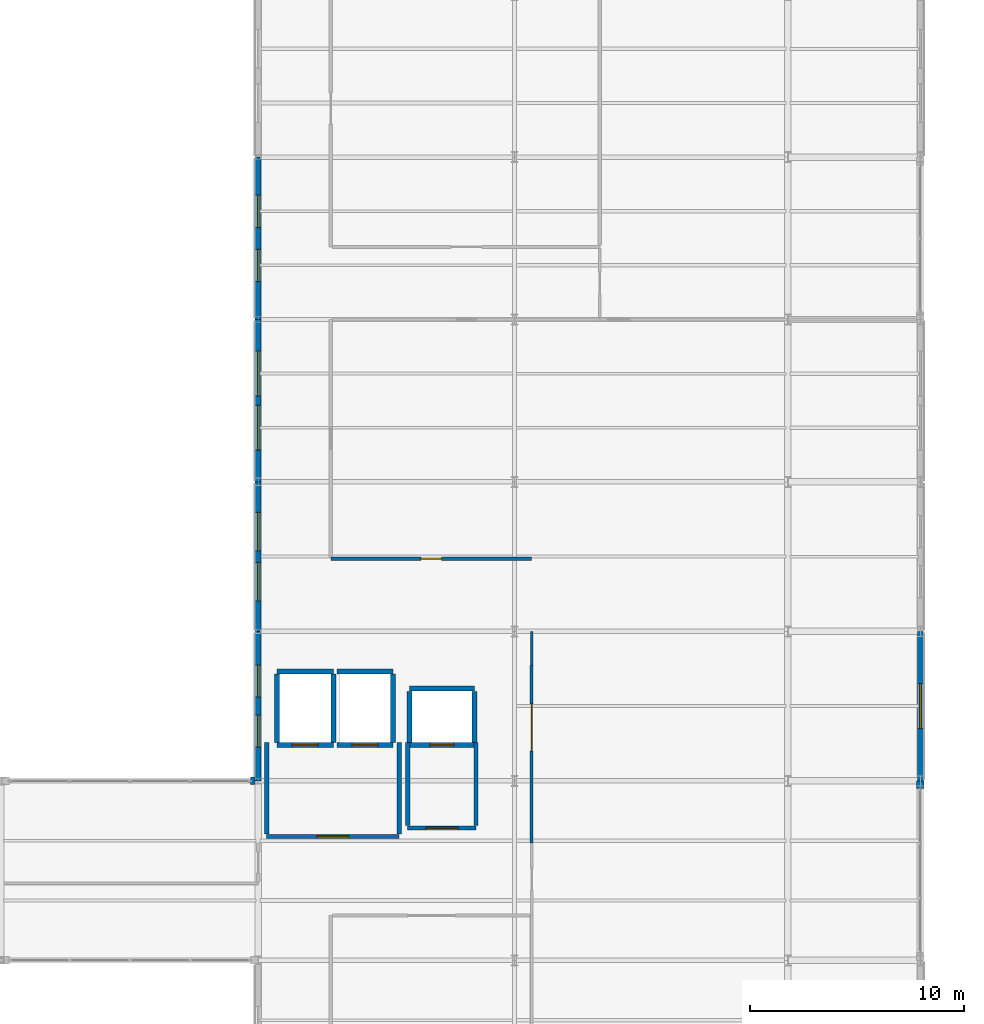
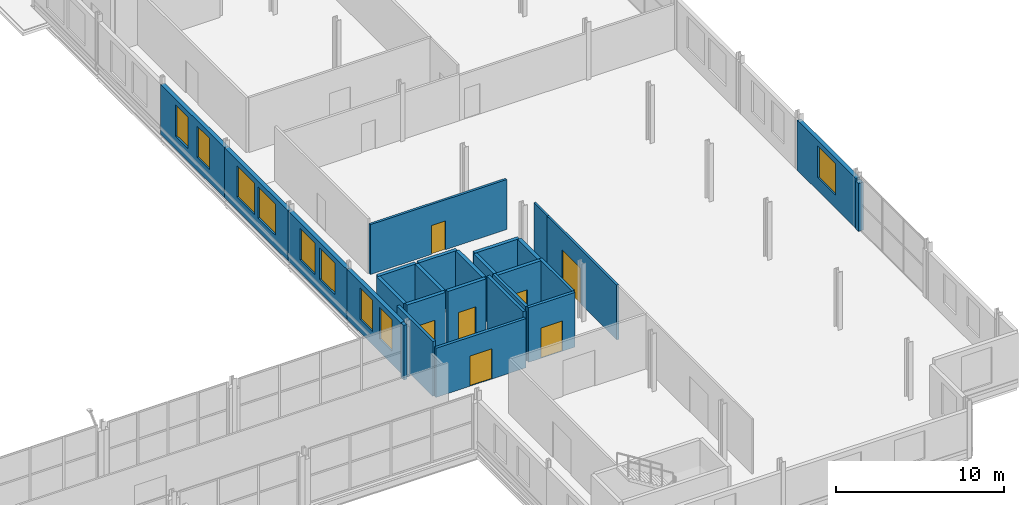
# One storey, part 87 of 101: 27 walls, 9 windows, 7 doors, 16 openings.
"""IFC4 building model written with IfcOpenShell, lengths in metres."""

from ifc_helpers import new_model, si_unit, direction, frame, frame_2d, origin, place, context, subcontext, project, spatial, rectangle, extrude, material, layer, layer_set, type_object, element, fill, save


model = new_model("IFC4")

# Units and contexts
model_context = context("Model", 3, precision=1e-05, world=origin(), true_north=direction((0.0, 1.0)))
body_context = subcontext(model_context, "Body", "Model", "MODEL_VIEW")
ifc_project = project(units=[si_unit("LENGTHUNIT", "METRE"), si_unit("AREAUNIT", "SQUARE_METRE"), si_unit("VOLUMEUNIT", "CUBIC_METRE"), si_unit("PLANEANGLEUNIT", "RADIAN"), si_unit("MASSUNIT", "GRAM", prefix="KILO")], contexts=[model_context])

# Site, building, storey
site_placement = place(None, origin())
site = spatial("IfcSite", under=ifc_project, at=site_placement, CompositionType="ELEMENT")
building_placement = place(site_placement, origin())
building = spatial("IfcBuilding", under=site, at=building_placement, Name="Vekula Escarpment Museum", CompositionType="ELEMENT")
storey_placement = place(building_placement, frame((0.0, 0.0, 18.0)))
storey = spatial("IfcBuildingStorey", under=building, at=storey_placement, Name="L04", CompositionType="ELEMENT", Elevation=18.0)

# Walls
ifc_material_1 = material(Name="Inkisi arkosic sandstone masonry", Category="masonry")
ifc_layer_1 = layer(ifc_material_1, 0.35009765625)
ifc_layer_set_1 = layer_set([ifc_layer_1], Name="Inkisi arkosic sandstone masonry")
wall_type_1 = type_object("IfcWallType", Name="WL-ALM-350", PredefinedType="SOLIDWALL", material=ifc_layer_set_1)
wall_1_placement = place(storey_placement, frame((198.0, 76.0400390625, 0.0), z_axis=(0.0, 0.0, 1.0), x_axis=(0.0, 1.0, 0.0)))
element("IfcWall", 1, at=wall_1_placement, inside=storey, type_object=wall_type_1, Name="Facade Jamb Pier L04-0731B", PredefinedType="SOLIDWALL", context=body_context, shape_type="SweptSolid", body=[
    extrude(rectangle(XDim=0.35986328125, YDim=0.35009765625, at=frame_2d((0.179931640625, 0.0))), origin(), (0.0, 0.0, 1.0), 3.4951171875),
])
wall_2_placement = place(storey_placement, frame((166.85595703125, 76.39990234375, 0.0), z_axis=(0.0, 0.0, 1.0), x_axis=(-1.0, 0.0, 0.0)))
element("IfcWall", 2, at=wall_2_placement, inside=storey, type_object=wall_type_1, Name="Facade Jamb Pier L04-0749A", PredefinedType="SOLIDWALL", context=body_context, shape_type="SweptSolid", body=[
    extrude(rectangle(XDim=0.216064453125, YDim=0.35009765625, at=frame_2d((0.10791015625, 0.0))), origin(), (0.0, 0.0, 1.0), 3.97998046875),
])

# Wall, opening, window
ifc_material_2 = material(Name="Inkisi arkosic sandstone masonry", Category="masonry")
ifc_layer_2 = layer(ifc_material_2, 0.280029296875)
ifc_layer_set_2 = layer_set([ifc_layer_2], Name="Inkisi arkosic sandstone masonry")
wall_type_2 = type_object("IfcWallType", Name="WL-CUM-280", PredefinedType="SOLIDWALL", material=ifc_layer_set_2)
wall_3_placement = place(storey_placement, frame((198.0, 83.39990234375, 0.0), z_axis=(0.0, 0.0, 1.0), x_axis=(0.0, -1.0, 0.0)))
wall_3 = element("IfcWall", 3, at=wall_3_placement, inside=storey, type_object=wall_type_2, Name="Exterior Wall WL-EXT-L04-0732", PredefinedType="SOLIDWALL", context=body_context, shape_type="SweptSolid", body=[
    extrude(rectangle(XDim=7.0, YDim=0.280029296875, at=frame_2d((3.5, 0.0))), origin(), (0.0, 0.0, 1.0), 3.64501953125),
])
opening_1_placement = place(wall_3_placement, frame((2.449951171875, 0.0, 0.949951171875)))
opening_1 = element("IfcOpeningElement", 4, at=opening_1_placement, cuts=wall_3, Name="Opening WN-08", PredefinedType="OPENING", context=body_context, shape_type="SweptSolid", body=[
    extrude(rectangle(XDim=2.10009765625, YDim=2.2900390625, at=frame_2d((1.050048828125, 1.14501953125))), frame((0.0, 0.14990234375, 0.0), z_axis=(0.0, -1.0, 0.0), x_axis=(1.0, 0.0, 0.0)), (0.0, 0.0, 1.0), 0.300048828125),
])
ifc_material_3 = material(Name="Double solar-control low-E glass", Category="glass")
window_type_1 = type_object("IfcWindowType", Name="WN-CUMBA-21x28", PartitioningType="DOUBLE_PANEL_VERTICAL", PredefinedType="WINDOW", material=ifc_material_3)
window_1_placement = place(opening_1_placement, origin())
window_1 = element("IfcWindow", 5, at=window_1_placement, inside=storey, type_object=window_type_1, Name="Window L04-0378", OverallHeight=2.2900390625, OverallWidth=2.10009765625, PartitioningType="SINGLE_PANEL", PredefinedType="WINDOW", context=body_context, shape_type="SweptSolid", body=[
    extrude(rectangle(XDim=2.10009765625, YDim=2.2900390625, at=frame_2d((1.050048828125, 1.14501953125))), frame((0.0, 0.030029296875, 0.0), z_axis=(0.0, -1.0, 0.0), x_axis=(1.0, 0.0, 0.0)), (0.0, 0.0, 1.0), 0.06005859375),
])
fill(opening_1, window_1)

# Wall, openings, windows
wall_4_placement = place(storey_placement, frame((167.0, 98.0, 0.0), z_axis=(0.0, 0.0, 1.0), x_axis=(0.0, 1.0, 0.0)))
wall_4 = element("IfcWall", 6, at=wall_4_placement, inside=storey, type_object=wall_type_2, Name="Exterior Wall WL-EXT-L04-0745", PredefinedType="SOLIDWALL", context=body_context, shape_type="SweptSolid", body=[
    extrude(rectangle(XDim=7.60009765625, YDim=0.280029296875, at=frame_2d((3.800048828125, 0.0))), origin(), (0.0, 0.0, 1.0), 3.64501953125),
])
opening_2_placement = place(wall_4_placement, frame((1.783203125, 0.0, 0.949951171875)))
opening_2 = element("IfcOpeningElement", 7, at=opening_2_placement, cuts=wall_4, Name="Opening WN-06", PredefinedType="OPENING", context=body_context, shape_type="SweptSolid", body=[
    extrude(rectangle(XDim=1.5, YDim=2.2900390625, at=frame_2d((0.75, 1.14501953125))), frame((0.0, 0.14990234375, 0.0), z_axis=(0.0, -1.0, 0.0), x_axis=(1.0, 0.0, 0.0)), (0.0, 0.0, 1.0), 0.300048828125),
])
opening_3_placement = place(wall_4_placement, frame((4.316650390625, 0.0, 0.949951171875)))
opening_3 = element("IfcOpeningElement", 8, at=opening_3_placement, cuts=wall_4, Name="Opening WN-06", PredefinedType="OPENING", context=body_context, shape_type="SweptSolid", body=[
    extrude(rectangle(XDim=1.5, YDim=2.2900390625, at=frame_2d((0.75, 1.14501953125))), frame((0.0, 0.14990234375, 0.0), z_axis=(0.0, -1.0, 0.0), x_axis=(1.0, 0.0, 0.0)), (0.0, 0.0, 1.0), 0.300048828125),
])
ifc_material_4 = material(Name="Double solar-control low-E glass", Category="glass")
window_type_2 = type_object("IfcWindowType", Name="WN-CUMBA-15x24", PartitioningType="SINGLE_PANEL", PredefinedType="WINDOW", material=ifc_material_4)
window_2_placement = place(opening_2_placement, origin())
window_2 = element("IfcWindow", 9, at=window_2_placement, inside=storey, type_object=window_type_2, Name="Window L04-0394", OverallHeight=2.2900390625, OverallWidth=1.5, PartitioningType="SINGLE_PANEL", PredefinedType="WINDOW", context=body_context, shape_type="SweptSolid", body=[
    extrude(rectangle(XDim=1.5, YDim=2.2900390625, at=frame_2d((0.75, 1.14501953125))), frame((0.0, 0.030029296875, 0.0), z_axis=(0.0, -1.0, 0.0), x_axis=(1.0, 0.0, 0.0)), (0.0, 0.0, 1.0), 0.06005859375),
])
fill(opening_2, window_2)
window_3_placement = place(opening_3_placement, origin())
window_3 = element("IfcWindow", 10, at=window_3_placement, inside=storey, type_object=window_type_2, Name="Window L04-0395", OverallHeight=2.2900390625, OverallWidth=1.5, PartitioningType="SINGLE_PANEL", PredefinedType="WINDOW", context=body_context, shape_type="SweptSolid", body=[
    extrude(rectangle(XDim=1.5, YDim=2.2900390625, at=frame_2d((0.75, 1.14501953125))), frame((0.0, 0.030029296875, 0.0), z_axis=(0.0, -1.0, 0.0), x_axis=(1.0, 0.0, 0.0)), (0.0, 0.0, 1.0), 0.06005859375),
])
fill(opening_3, window_3)

wall_5_placement = place(storey_placement, frame((167.0, 90.39990234375, 0.0), z_axis=(0.0, 0.0, 1.0), x_axis=(0.0, 1.0, 0.0)))
wall_5 = element("IfcWall", 11, at=wall_5_placement, inside=storey, type_object=wall_type_2, Name="Exterior Wall WL-EXT-L04-0746", PredefinedType="SOLIDWALL", context=body_context, shape_type="SweptSolid", body=[
    extrude(rectangle(XDim=7.60009765625, YDim=0.280029296875, at=frame_2d((3.800048828125, 0.0))), origin(), (0.0, 0.0, 1.0), 3.64501953125),
])
opening_4_placement = place(wall_5_placement, frame((1.4833984375, 0.0, 0.949951171875)))
opening_4 = element("IfcOpeningElement", 12, at=opening_4_placement, cuts=wall_5, Name="Opening WN-08", PredefinedType="OPENING", context=body_context, shape_type="SweptSolid", body=[
    extrude(rectangle(XDim=2.10009765625, YDim=2.2900390625, at=frame_2d((1.050048828125, 1.14501953125))), frame((0.0, 0.14990234375, 0.0), z_axis=(0.0, -1.0, 0.0), x_axis=(1.0, 0.0, 0.0)), (0.0, 0.0, 1.0), 0.300048828125),
])
opening_5_placement = place(wall_5_placement, frame((4.0166015625, 0.0, 0.949951171875)))
opening_5 = element("IfcOpeningElement", 13, at=opening_5_placement, cuts=wall_5, Name="Opening WN-08", PredefinedType="OPENING", context=body_context, shape_type="SweptSolid", body=[
    extrude(rectangle(XDim=2.10009765625, YDim=2.2900390625, at=frame_2d((1.050048828125, 1.14501953125))), frame((0.0, 0.14990234375, 0.0), z_axis=(0.0, -1.0, 0.0), x_axis=(1.0, 0.0, 0.0)), (0.0, 0.0, 1.0), 0.300048828125),
])
window_4_placement = place(opening_4_placement, origin())
window_4 = element("IfcWindow", 14, at=window_4_placement, inside=storey, type_object=window_type_1, Name="Window L04-0396", OverallHeight=2.2900390625, OverallWidth=2.10009765625, PartitioningType="SINGLE_PANEL", PredefinedType="WINDOW", context=body_context, shape_type="SweptSolid", body=[
    extrude(rectangle(XDim=2.10009765625, YDim=2.2900390625, at=frame_2d((1.050048828125, 1.14501953125))), frame((0.0, 0.030029296875, 0.0), z_axis=(0.0, -1.0, 0.0), x_axis=(1.0, 0.0, 0.0)), (0.0, 0.0, 1.0), 0.06005859375),
])
fill(opening_4, window_4)
window_5_placement = place(opening_5_placement, origin())
window_5 = element("IfcWindow", 15, at=window_5_placement, inside=storey, type_object=window_type_1, Name="Window L04-0397", OverallHeight=2.2900390625, OverallWidth=2.10009765625, PartitioningType="SINGLE_PANEL", PredefinedType="WINDOW", context=body_context, shape_type="SweptSolid", body=[
    extrude(rectangle(XDim=2.10009765625, YDim=2.2900390625, at=frame_2d((1.050048828125, 1.14501953125))), frame((0.0, 0.030029296875, 0.0), z_axis=(0.0, -1.0, 0.0), x_axis=(1.0, 0.0, 0.0)), (0.0, 0.0, 1.0), 0.06005859375),
])
fill(opening_5, window_5)

wall_6_placement = place(storey_placement, frame((167.0, 83.39990234375, 0.0), z_axis=(0.0, 0.0, 1.0), x_axis=(0.0, 1.0, 0.0)))
wall_6 = element("IfcWall", 16, at=wall_6_placement, inside=storey, type_object=wall_type_2, Name="Exterior Wall WL-EXT-L04-0747", PredefinedType="SOLIDWALL", context=body_context, shape_type="SweptSolid", body=[
    extrude(rectangle(XDim=7.0, YDim=0.280029296875, at=frame_2d((3.5, 0.0))), origin(), (0.0, 0.0, 1.0), 3.64501953125),
])
opening_6_placement = place(wall_6_placement, frame((1.433349609375, 0.0, 0.949951171875)))
opening_6 = element("IfcOpeningElement", 17, at=opening_6_placement, cuts=wall_6, Name="Opening WN-07", PredefinedType="OPENING", context=body_context, shape_type="SweptSolid", body=[
    extrude(rectangle(XDim=1.800048828125, YDim=2.2900390625, at=frame_2d((0.89990234375, 1.14501953125))), frame((0.0, 0.14990234375, 0.0), z_axis=(0.0, -1.0, 0.0), x_axis=(1.0, 0.0, 0.0)), (0.0, 0.0, 1.0), 0.300048828125),
])
opening_7_placement = place(wall_6_placement, frame((3.7666015625, 0.0, 0.949951171875)))
opening_7 = element("IfcOpeningElement", 18, at=opening_7_placement, cuts=wall_6, Name="Opening WN-07", PredefinedType="OPENING", context=body_context, shape_type="SweptSolid", body=[
    extrude(rectangle(XDim=1.800048828125, YDim=2.2900390625, at=frame_2d((0.89990234375, 1.14501953125))), frame((0.0, 0.14990234375, 0.0), z_axis=(0.0, -1.0, 0.0), x_axis=(1.0, 0.0, 0.0)), (0.0, 0.0, 1.0), 0.300048828125),
])
ifc_material_5 = material(Name="Double solar-control low-E glass", Category="glass")
window_type_3 = type_object("IfcWindowType", Name="WN-CUMBA-18x26", PartitioningType="DOUBLE_PANEL_VERTICAL", PredefinedType="WINDOW", material=ifc_material_5)
window_6_placement = place(opening_6_placement, origin())
window_6 = element("IfcWindow", 19, at=window_6_placement, inside=storey, type_object=window_type_3, Name="Window L04-0398", OverallHeight=2.2900390625, OverallWidth=1.800048828125, PartitioningType="SINGLE_PANEL", PredefinedType="WINDOW", context=body_context, shape_type="SweptSolid", body=[
    extrude(rectangle(XDim=1.800048828125, YDim=2.2900390625, at=frame_2d((0.89990234375, 1.14501953125))), frame((0.0, 0.030029296875, 0.0), z_axis=(0.0, -1.0, 0.0), x_axis=(1.0, 0.0, 0.0)), (0.0, 0.0, 1.0), 0.06005859375),
])
fill(opening_6, window_6)
window_7_placement = place(opening_7_placement, origin())
window_7 = element("IfcWindow", 20, at=window_7_placement, inside=storey, type_object=window_type_3, Name="Window L04-0399", OverallHeight=2.2900390625, OverallWidth=1.800048828125, PartitioningType="SINGLE_PANEL", PredefinedType="WINDOW", context=body_context, shape_type="SweptSolid", body=[
    extrude(rectangle(XDim=1.800048828125, YDim=2.2900390625, at=frame_2d((0.89990234375, 1.14501953125))), frame((0.0, 0.030029296875, 0.0), z_axis=(0.0, -1.0, 0.0), x_axis=(1.0, 0.0, 0.0)), (0.0, 0.0, 1.0), 0.06005859375),
])
fill(opening_7, window_7)

wall_7_placement = place(storey_placement, frame((167.0, 76.39990234375, 0.0), z_axis=(0.0, 0.0, 1.0), x_axis=(0.0, 1.0, 0.0)))
wall_7 = element("IfcWall", 21, at=wall_7_placement, inside=storey, type_object=wall_type_2, Name="Exterior Wall WL-EXT-L04-0748", PredefinedType="SOLIDWALL", context=body_context, shape_type="SweptSolid", body=[
    extrude(rectangle(XDim=7.0, YDim=0.280029296875, at=frame_2d((3.5, 0.0))), origin(), (0.0, 0.0, 1.0), 3.64501953125),
])
opening_8_placement = place(wall_7_placement, frame((1.583251953125, 0.0, 0.949951171875)))
opening_8 = element("IfcOpeningElement", 22, at=opening_8_placement, cuts=wall_7, Name="Opening WN-06", PredefinedType="OPENING", context=body_context, shape_type="SweptSolid", body=[
    extrude(rectangle(XDim=1.5, YDim=2.2900390625, at=frame_2d((0.75, 1.14501953125))), frame((0.0, 0.14990234375, 0.0), z_axis=(0.0, -1.0, 0.0), x_axis=(1.0, 0.0, 0.0)), (0.0, 0.0, 1.0), 0.300048828125),
])
opening_9_placement = place(wall_7_placement, frame((3.916748046875, 0.0, 0.949951171875)))
opening_9 = element("IfcOpeningElement", 23, at=opening_9_placement, cuts=wall_7, Name="Opening WN-06", PredefinedType="OPENING", context=body_context, shape_type="SweptSolid", body=[
    extrude(rectangle(XDim=1.5, YDim=2.2900390625, at=frame_2d((0.75, 1.14501953125))), frame((0.0, 0.14990234375, 0.0), z_axis=(0.0, -1.0, 0.0), x_axis=(1.0, 0.0, 0.0)), (0.0, 0.0, 1.0), 0.300048828125),
])
window_8_placement = place(opening_8_placement, origin())
window_8 = element("IfcWindow", 24, at=window_8_placement, inside=storey, type_object=window_type_2, Name="Window L04-0400", OverallHeight=2.2900390625, OverallWidth=1.5, PartitioningType="SINGLE_PANEL", PredefinedType="WINDOW", context=body_context, shape_type="SweptSolid", body=[
    extrude(rectangle(XDim=1.5, YDim=2.2900390625, at=frame_2d((0.75, 1.14501953125))), frame((0.0, 0.030029296875, 0.0), z_axis=(0.0, -1.0, 0.0), x_axis=(1.0, 0.0, 0.0)), (0.0, 0.0, 1.0), 0.06005859375),
])
fill(opening_8, window_8)
window_9_placement = place(opening_9_placement, origin())
window_9 = element("IfcWindow", 25, at=window_9_placement, inside=storey, type_object=window_type_2, Name="Window L04-0401", OverallHeight=2.2900390625, OverallWidth=1.5, PartitioningType="SINGLE_PANEL", PredefinedType="WINDOW", context=body_context, shape_type="SweptSolid", body=[
    extrude(rectangle(XDim=1.5, YDim=2.2900390625, at=frame_2d((0.75, 1.14501953125))), frame((0.0, 0.030029296875, 0.0), z_axis=(0.0, -1.0, 0.0), x_axis=(1.0, 0.0, 0.0)), (0.0, 0.0, 1.0), 0.06005859375),
])
fill(opening_9, window_9)

# Wall, opening, door
ifc_material_6 = material(Name="Concrete C35/45", Category="concrete")
ifc_layer_3 = layer(ifc_material_6, 0.199951171875)
ifc_layer_set_3 = layer_set([ifc_layer_3], Name="Concrete C35/45")
wall_type_3 = type_object("IfcWallType", Name="WL-FFL-200", PredefinedType="PARTITIONING", material=ifc_layer_set_3)
wall_8_placement = place(storey_placement, frame((167.39990234375, 73.800048828125, 0.0), z_axis=(0.0, 0.0, 1.0), x_axis=(1.0, 0.0, 0.0)))
wall_8 = element("IfcWall", 26, at=wall_8_placement, inside=storey, type_object=wall_type_3, Name="Lift Lobby Wall LF-01 L04 S", PredefinedType="PARTITIONING", context=body_context, shape_type="SweptSolid", body=[
    extrude(rectangle(XDim=6.2001953125, YDim=0.199951171875, at=frame_2d((3.10009765625, 0.0))), origin(), (0.0, 0.0, 1.0), 3.574951171875),
])
opening_10_placement = place(wall_8_placement, frame((2.35009765625, 0.0, 0.0)))
opening_10 = element("IfcOpeningElement", 27, at=opening_10_placement, cuts=wall_8, Name="Opening DR-FD60L", PredefinedType="OPENING", context=body_context, shape_type="SweptSolid", body=[
    extrude(rectangle(XDim=1.5, YDim=2.199951171875, at=frame_2d((0.75, 1.10009765625))), frame((0.0, 0.10986328125, 0.0), z_axis=(0.0, -1.0, 0.0), x_axis=(1.0, 0.0, 0.0)), (0.0, 0.0, 1.0), 0.219970703125),
])
ifc_material_7 = material(Name="Fire-rated glazed lobby door", Category="steel")
door_type_1 = type_object("IfcDoorType", Name="DR-FFLOB-1500x2200", OperationType="NOTDEFINED", PredefinedType="DOOR", material=ifc_material_7)
door_1_placement = place(opening_10_placement, origin())
door_1 = element("IfcDoor", 28, at=door_1_placement, inside=storey, type_object=door_type_1, Name="Lift Lobby Fire Door LF-01 L04", OperationType="SINGLE_SWING_LEFT", OverallHeight=2.199951171875, OverallWidth=1.5, PredefinedType="DOOR", context=body_context, shape_type="SweptSolid", body=[
    extrude(rectangle(XDim=1.5, YDim=2.199951171875, at=frame_2d((0.75, 1.10009765625))), frame((0.0, 0.02490234375, 0.0), z_axis=(0.0, -1.0, 0.0), x_axis=(1.0, 0.0, 0.0)), (0.0, 0.0, 1.0), 0.050048828125),
])
fill(opening_10, door_1)

# Walls
for number, where, z_axis, x_axis, name in (
    (29, (167.39990234375, 73.904052734375, 0.0), (0.0, 0.0, 1.0), (0.0, 1.0, 0.0), "Lift Lobby Wall LF-01 L04 W"),
    (30, (173.60009765625, 73.904052734375, 0.0), (0.0, 0.0, 1.0), (0.0, 1.0, 0.0), "Lift Lobby Wall LF-01 L04 E"),
):
    element("IfcWall", number, at=place(storey_placement, frame(where, z_axis=z_axis, x_axis=x_axis)), inside=storey, type_object=wall_type_3, Name=name, PredefinedType="PARTITIONING", context=body_context, shape_type="SweptSolid", body=[
        extrude(rectangle(XDim=4.2958984375, YDim=0.199951171875, at=frame_2d((2.14794921875, 0.0))), origin(), (0.0, 0.0, 1.0), 3.97998046875),
    ])

# Wall, opening, door
wall_9_placement = place(storey_placement, frame((174.0, 74.199951171875, 0.0), z_axis=(0.0, 0.0, 1.0), x_axis=(1.0, 0.0, 0.0)))
wall_9 = element("IfcWall", 31, at=wall_9_placement, inside=storey, type_object=wall_type_3, Name="Lift Lobby Wall LP-03 L04 S", PredefinedType="PARTITIONING", context=body_context, shape_type="SweptSolid", body=[
    extrude(rectangle(XDim=3.199951171875, YDim=0.199951171875, at=frame_2d((1.60009765625, 0.0))), origin(), (0.0, 0.0, 1.0), 3.97998046875),
])
opening_11_placement = place(wall_9_placement, frame((0.85009765625, 0.0, 0.0)))
opening_11 = element("IfcOpeningElement", 32, at=opening_11_placement, cuts=wall_9, Name="Opening DR-FD60L", PredefinedType="OPENING", context=body_context, shape_type="SweptSolid", body=[
    extrude(rectangle(XDim=1.5, YDim=2.199951171875, at=frame_2d((0.75, 1.10009765625))), frame((0.0, 0.10986328125, 0.0), z_axis=(0.0, -1.0, 0.0), x_axis=(1.0, 0.0, 0.0)), (0.0, 0.0, 1.0), 0.219970703125),
])
door_2_placement = place(opening_11_placement, origin())
door_2 = element("IfcDoor", 33, at=door_2_placement, inside=storey, type_object=door_type_1, Name="Lift Lobby Fire Door LP-03 L04", OperationType="SINGLE_SWING_LEFT", OverallHeight=2.199951171875, OverallWidth=1.5, PredefinedType="DOOR", context=body_context, shape_type="SweptSolid", body=[
    extrude(rectangle(XDim=1.5, YDim=2.199951171875, at=frame_2d((0.75, 1.10009765625))), frame((0.0, 0.02490234375, 0.0), z_axis=(0.0, -1.0, 0.0), x_axis=(1.0, 0.0, 0.0)), (0.0, 0.0, 1.0), 0.050048828125),
])
fill(opening_11, door_2)

# Walls
for number, where, z_axis, x_axis, name in (
    (34, (174.0, 74.303955078125, 0.0), (0.0, 0.0, 1.0), (0.0, 1.0, 0.0), "Lift Lobby Wall LP-03 L04 W"),
    (35, (177.199951171875, 74.303955078125, 0.0), (0.0, 0.0, 1.0), (0.0, 1.0, 0.0), "Lift Lobby Wall LP-03 L04 E"),
):
    element("IfcWall", number, at=place(storey_placement, frame(where, z_axis=z_axis, x_axis=x_axis)), inside=storey, type_object=wall_type_3, Name=name, PredefinedType="PARTITIONING", context=body_context, shape_type="SweptSolid", body=[
        extrude(rectangle(XDim=3.89599609375, YDim=0.199951171875, at=frame_2d((1.947998046875, 0.0))), origin(), (0.0, 0.0, 1.0), 3.97998046875),
    ])
ifc_material_8 = material(Name="Lightweight studio partition", Category="gypsum")
ifc_layer_4 = layer(ifc_material_8, 0.1201171875)
ifc_layer_set_4 = layer_set([ifc_layer_4], Name="Lightweight studio partition")
wall_type_4 = type_object("IfcWallType", Name="WL-PART-120", PredefinedType="PARTITIONING", material=ifc_layer_set_4)
wall_10_placement = place(storey_placement, frame((179.800048828125, 81.800048828125, 0.0), z_axis=(0.0, 0.0, 1.0), x_axis=(0.0, 1.0, 0.0)))
element("IfcWall", 36, at=wall_10_placement, inside=storey, type_object=wall_type_4, Name="Interior Partition WL-INT-L04-0048", PredefinedType="PARTITIONING", context=body_context, shape_type="SweptSolid", body=[
    extrude(rectangle(XDim=1.599853515625, YDim=0.1201171875, at=frame_2d((0.7998046875, 0.0))), origin(), (0.0, 0.0, 1.0), 3.97998046875),
])

# Wall, opening, door
ifc_material_9 = material(Name="Gypsum board dry-lined partition", Category="gypsum")
ifc_layer_5 = layer(ifc_material_9, 0.14990234375)
ifc_layer_set_5 = layer_set([ifc_layer_5], Name="Gypsum board dry-lined partition")
wall_type_5 = type_object("IfcWallType", Name="WL-PART-150", PredefinedType="PARTITIONING", material=ifc_layer_set_5)
wall_11_placement = place(storey_placement, frame((179.800048828125, 73.5, 0.0), z_axis=(0.0, 0.0, 1.0), x_axis=(0.0, 1.0, 0.0)))
wall_11 = element("IfcWall", 37, at=wall_11_placement, inside=storey, type_object=wall_type_5, Name="Interior Partition WL-INT-L04-0047", PredefinedType="PARTITIONING", context=body_context, shape_type="SweptSolid", body=[
    extrude(rectangle(XDim=8.300048828125, YDim=0.14990234375, at=frame_2d((4.14990234375, 0.0))), origin(), (0.0, 0.0, 1.0), 3.97998046875),
])
opening_12_placement = place(wall_11_placement, frame((4.31005859375, 0.0, 0.0)))
opening_12 = element("IfcOpeningElement", 38, at=opening_12_placement, cuts=wall_11, Name="Opening DR-GL22", PredefinedType="OPENING", context=body_context, shape_type="SweptSolid", body=[
    extrude(rectangle(XDim=2.199951171875, YDim=2.60009765625, at=frame_2d((1.10009765625, 1.300048828125))), frame((0.0, 0.0849609375, 0.0), z_axis=(0.0, -1.0, 0.0), x_axis=(1.0, 0.0, 0.0)), (0.0, 0.0, 1.0), 0.169921875),
])
ifc_material_10 = material(Name="Double acoustic timber gallery door", Category="wood")
door_type_2 = type_object("IfcDoorType", Name="DR-GAL-2200x2600", OperationType="NOTDEFINED", PredefinedType="DOOR", material=ifc_material_10)
door_3_placement = place(opening_12_placement, origin())
door_3 = element("IfcDoor", 39, at=door_3_placement, inside=storey, type_object=door_type_2, Name="Interior Door L04-043", OperationType="SINGLE_SWING_LEFT", OverallHeight=2.60009765625, OverallWidth=2.199951171875, PredefinedType="DOOR", context=body_context, shape_type="SweptSolid", body=[
    extrude(rectangle(XDim=2.199951171875, YDim=2.60009765625, at=frame_2d((1.10009765625, 1.300048828125))), frame((0.0, 0.02490234375, 0.0), z_axis=(0.0, -1.0, 0.0), x_axis=(1.0, 0.0, 0.0)), (0.0, 0.0, 1.0), 0.050048828125),
])
fill(opening_12, door_3)

ifc_material_11 = material(Name="Gypsum board gallery partition", Category="gypsum")
ifc_layer_6 = layer(ifc_material_11, 0.159912109375)
ifc_layer_set_6 = layer_set([ifc_layer_6], Name="Gypsum board gallery partition")
wall_type_6 = type_object("IfcWallType", Name="WL-PART-160", PredefinedType="PARTITIONING", material=ifc_layer_set_6)
wall_12_placement = place(storey_placement, frame((170.39990234375, 86.800048828125, 0.0), z_axis=(0.0, 0.0, 1.0), x_axis=(1.0, 0.0, 0.0)))
wall_12 = element("IfcWall", 40, at=wall_12_placement, inside=storey, type_object=wall_type_6, Name="Interior Partition WL-INT-L04-0049", PredefinedType="PARTITIONING", context=body_context, shape_type="SweptSolid", body=[
    extrude(rectangle(XDim=9.400146484375, YDim=0.159912109375, at=frame_2d((4.7001953125, 0.0))), origin(), (0.0, 0.0, 1.0), 3.635009765625),
])
opening_13_placement = place(wall_12_placement, frame((4.22509765625, 0.0, 0.0)))
opening_13 = element("IfcOpeningElement", 41, at=opening_13_placement, cuts=wall_12, Name="Opening DR-OF09", PredefinedType="OPENING", context=body_context, shape_type="SweptSolid", body=[
    extrude(rectangle(XDim=0.949951171875, YDim=2.10009765625, at=frame_2d((0.47509765625, 1.050048828125))), frame((0.0, 0.08984375, 0.0), z_axis=(0.0, -1.0, 0.0), x_axis=(1.0, 0.0, 0.0)), (0.0, 0.0, 1.0), 0.179931640625),
])
ifc_material_12 = material(Name="Solid core timber office door", Category="wood")
door_type_3 = type_object("IfcDoorType", Name="DR-OFF-0950x2100", OperationType="NOTDEFINED", PredefinedType="DOOR", material=ifc_material_12)
door_4_placement = place(opening_13_placement, origin())
door_4 = element("IfcDoor", 42, at=door_4_placement, inside=storey, type_object=door_type_3, Name="Interior Door L04-044", OperationType="SINGLE_SWING_RIGHT", OverallHeight=2.10009765625, OverallWidth=0.949951171875, PredefinedType="DOOR", context=body_context, shape_type="SweptSolid", body=[
    extrude(rectangle(XDim=0.949951171875, YDim=2.10009765625, at=frame_2d((0.47509765625, 1.050048828125))), frame((0.0, 0.02490234375, 0.0), z_axis=(0.0, -1.0, 0.0), x_axis=(1.0, 0.0, 0.0)), (0.0, 0.0, 1.0), 0.050048828125),
])
fill(opening_13, door_4)

ifc_material_13 = material(Name="Concrete C35/45", Category="concrete")
ifc_layer_7 = layer(ifc_material_13, 0.239990234375)
ifc_layer_set_7 = layer_set([ifc_layer_7], Name="Concrete C35/45")
wall_type_7 = type_object("IfcWallType", Name="WL-SHF-240", PredefinedType="SHEAR", material=ifc_layer_set_7)
wall_13_placement = place(storey_placement, frame((167.8798828125, 78.080078125, 0.0), z_axis=(0.0, 0.0, 1.0), x_axis=(1.0, 0.0, 0.0)))
wall_13 = element("IfcWall", 43, at=wall_13_placement, inside=storey, type_object=wall_type_7, Name="Lift Shaft Wall LF-01 L04 S", PredefinedType="SHEAR", context=body_context, shape_type="SweptSolid", body=[
    extrude(rectangle(XDim=2.64013671875, YDim=0.239990234375, at=frame_2d((1.320068359375, 0.0))), origin(), (0.0, 0.0, 1.0), 3.97998046875),
])
opening_14_placement = place(wall_13_placement, frame((0.719970703125, 0.0, 0.0)))
opening_14 = element("IfcOpeningElement", 44, at=opening_14_placement, cuts=wall_13, Name="Opening LD-FF", PredefinedType="OPENING", context=body_context, shape_type="SweptSolid", body=[
    extrude(rectangle(XDim=1.199951171875, YDim=2.199951171875, at=frame_2d((0.60009765625, 1.10009765625))), frame((0.0, 0.1298828125, 0.0), z_axis=(0.0, -1.0, 0.0), x_axis=(1.0, 0.0, 0.0)), (0.0, 0.0, 1.0), 0.260009765625),
])
ifc_material_14 = material(Name="Fire-rated stainless steel sliding lift landing door", Category="steel")
door_type_4 = type_object("IfcDoorType", Name="DR-LD-FF-1200", OperationType="DOUBLE_DOOR_SLIDING", PredefinedType="DOOR", material=ifc_material_14)
door_5_placement = place(opening_14_placement, origin())
door_5 = element("IfcDoor", 45, at=door_5_placement, inside=storey, type_object=door_type_4, Name="Sliding Lift Landing Door LF-01 L04", OperationType="DOUBLE_DOOR_SLIDING", OverallHeight=2.199951171875, OverallWidth=1.199951171875, PredefinedType="DOOR", context=body_context, shape_type="SweptSolid", body=[
    extrude(rectangle(XDim=1.199951171875, YDim=2.199951171875, at=frame_2d((0.60009765625, 1.10009765625))), frame((0.0, 0.02490234375, 0.0), z_axis=(0.0, -1.0, 0.0), x_axis=(1.0, 0.0, 0.0)), (0.0, 0.0, 1.0), 0.050048828125),
])
fill(opening_14, door_5)

# Walls
wall_14_placement = place(storey_placement, frame((167.8798828125, 81.52001953125, 0.0), z_axis=(0.0, 0.0, 1.0), x_axis=(1.0, 0.0, 0.0)))
element("IfcWall", 46, at=wall_14_placement, inside=storey, type_object=wall_type_7, Name="Lift Shaft Wall LF-01 L04 N", PredefinedType="SHEAR", context=body_context, shape_type="SweptSolid", body=[
    extrude(rectangle(XDim=2.64013671875, YDim=0.239990234375, at=frame_2d((1.320068359375, 0.0))), origin(), (0.0, 0.0, 1.0), 3.97998046875),
])
for number, where, z_axis, x_axis, name in (
    (47, (167.8798828125, 78.2041015625, 0.0), (0.0, 0.0, 1.0), (0.0, 1.0, 0.0), "Lift Shaft Wall LF-01 L04 W"),
    (48, (170.52001953125, 78.2041015625, 0.0), (0.0, 0.0, 1.0), (0.0, 1.0, 0.0), "Lift Shaft Wall LF-01 L04 E"),
):
    element("IfcWall", number, at=place(storey_placement, frame(where, z_axis=z_axis, x_axis=x_axis)), inside=storey, type_object=wall_type_7, Name=name, PredefinedType="SHEAR", context=body_context, shape_type="SweptSolid", body=[
        extrude(rectangle(XDim=3.19189453125, YDim=0.239990234375, at=frame_2d((1.595947265625, 0.0))), origin(), (0.0, 0.0, 1.0), 3.97998046875),
    ])

# Wall, opening, door
wall_15_placement = place(storey_placement, frame((170.679931640625, 78.080078125, 0.0), z_axis=(0.0, 0.0, 1.0), x_axis=(1.0, 0.0, 0.0)))
wall_15 = element("IfcWall", 49, at=wall_15_placement, inside=storey, type_object=wall_type_7, Name="Lift Shaft Wall LF-02 L04 S", PredefinedType="SHEAR", context=body_context, shape_type="SweptSolid", body=[
    extrude(rectangle(XDim=2.64013671875, YDim=0.239990234375, at=frame_2d((1.320068359375, 0.0))), origin(), (0.0, 0.0, 1.0), 3.97998046875),
])
opening_15_placement = place(wall_15_placement, frame((0.719970703125, 0.0, 0.0)))
opening_15 = element("IfcOpeningElement", 50, at=opening_15_placement, cuts=wall_15, Name="Opening LD-FF", PredefinedType="OPENING", context=body_context, shape_type="SweptSolid", body=[
    extrude(rectangle(XDim=1.199951171875, YDim=2.199951171875, at=frame_2d((0.60009765625, 1.10009765625))), frame((0.0, 0.1298828125, 0.0), z_axis=(0.0, -1.0, 0.0), x_axis=(1.0, 0.0, 0.0)), (0.0, 0.0, 1.0), 0.260009765625),
])
door_6_placement = place(opening_15_placement, origin())
door_6 = element("IfcDoor", 51, at=door_6_placement, inside=storey, type_object=door_type_4, Name="Sliding Lift Landing Door LF-02 L04", OperationType="DOUBLE_DOOR_SLIDING", OverallHeight=2.199951171875, OverallWidth=1.199951171875, PredefinedType="DOOR", context=body_context, shape_type="SweptSolid", body=[
    extrude(rectangle(XDim=1.199951171875, YDim=2.199951171875, at=frame_2d((0.60009765625, 1.10009765625))), frame((0.0, 0.02490234375, 0.0), z_axis=(0.0, -1.0, 0.0), x_axis=(1.0, 0.0, 0.0)), (0.0, 0.0, 1.0), 0.050048828125),
])
fill(opening_15, door_6)

# Walls
wall_16_placement = place(storey_placement, frame((170.679931640625, 81.52001953125, 0.0), z_axis=(0.0, 0.0, 1.0), x_axis=(1.0, 0.0, 0.0)))
element("IfcWall", 52, at=wall_16_placement, inside=storey, type_object=wall_type_7, Name="Lift Shaft Wall LF-02 L04 N", PredefinedType="SHEAR", context=body_context, shape_type="SweptSolid", body=[
    extrude(rectangle(XDim=2.64013671875, YDim=0.239990234375, at=frame_2d((1.320068359375, 0.0))), origin(), (0.0, 0.0, 1.0), 3.97998046875),
])
wall_17_placement = place(storey_placement, frame((173.320068359375, 78.2041015625, 0.0), z_axis=(0.0, 0.0, 1.0), x_axis=(0.0, 1.0, 0.0)))
element("IfcWall", 53, at=wall_17_placement, inside=storey, type_object=wall_type_7, Name="Lift Shaft Wall LF-02 L04 E", PredefinedType="SHEAR", context=body_context, shape_type="SweptSolid", body=[
    extrude(rectangle(XDim=3.19189453125, YDim=0.239990234375, at=frame_2d((1.595947265625, 0.0))), origin(), (0.0, 0.0, 1.0), 3.97998046875),
])

# Wall, opening, door
wall_18_placement = place(storey_placement, frame((174.080078125, 78.080078125, 0.0), z_axis=(0.0, 0.0, 1.0), x_axis=(1.0, 0.0, 0.0)))
wall_18 = element("IfcWall", 54, at=wall_18_placement, inside=storey, type_object=wall_type_7, Name="Lift Shaft Wall LP-03 L04 S", PredefinedType="SHEAR", context=body_context, shape_type="SweptSolid", body=[
    extrude(rectangle(XDim=3.0400390625, YDim=0.239990234375, at=frame_2d((1.52001953125, 0.0))), origin(), (0.0, 0.0, 1.0), 3.97998046875),
])
opening_16_placement = place(wall_18_placement, frame((0.969970703125, 0.0, 0.0)))
opening_16 = element("IfcOpeningElement", 55, at=opening_16_placement, cuts=wall_18, Name="Opening LD-PAX", PredefinedType="OPENING", context=body_context, shape_type="SweptSolid", body=[
    extrude(rectangle(XDim=1.10009765625, YDim=2.199951171875, at=frame_2d((0.550048828125, 1.10009765625))), frame((0.0, 0.1298828125, 0.0), z_axis=(0.0, -1.0, 0.0), x_axis=(1.0, 0.0, 0.0)), (0.0, 0.0, 1.0), 0.260009765625),
])
ifc_material_15 = material(Name="Brushed stainless steel sliding lift landing door", Category="steel")
door_type_5 = type_object("IfcDoorType", Name="DR-LD-PAX-1100", OperationType="DOUBLE_DOOR_SLIDING", PredefinedType="DOOR", material=ifc_material_15)
door_7_placement = place(opening_16_placement, origin())
door_7 = element("IfcDoor", 56, at=door_7_placement, inside=storey, type_object=door_type_5, Name="Sliding Lift Landing Door LP-03 L04", OperationType="DOUBLE_DOOR_SLIDING", OverallHeight=2.199951171875, OverallWidth=1.10009765625, PredefinedType="DOOR", context=body_context, shape_type="SweptSolid", body=[
    extrude(rectangle(XDim=1.10009765625, YDim=2.199951171875, at=frame_2d((0.550048828125, 1.10009765625))), frame((0.0, 0.02490234375, 0.0), z_axis=(0.0, -1.0, 0.0), x_axis=(1.0, 0.0, 0.0)), (0.0, 0.0, 1.0), 0.050048828125),
])
fill(opening_16, door_7)

# Walls
wall_19_placement = place(storey_placement, frame((174.080078125, 80.719970703125, 0.0), z_axis=(0.0, 0.0, 1.0), x_axis=(1.0, 0.0, 0.0)))
element("IfcWall", 57, at=wall_19_placement, inside=storey, type_object=wall_type_7, Name="Lift Shaft Wall LP-03 L04 N", PredefinedType="SHEAR", context=body_context, shape_type="SweptSolid", body=[
    extrude(rectangle(XDim=3.0400390625, YDim=0.239990234375, at=frame_2d((1.52001953125, 0.0))), origin(), (0.0, 0.0, 1.0), 3.97998046875),
])
for number, where, z_axis, x_axis, name in (
    (58, (174.080078125, 78.2041015625, 0.0), (0.0, 0.0, 1.0), (0.0, 1.0, 0.0), "Lift Shaft Wall LP-03 L04 W"),
    (59, (177.1201171875, 78.2041015625, 0.0), (0.0, 0.0, 1.0), (0.0, 1.0, 0.0), "Lift Shaft Wall LP-03 L04 E"),
):
    element("IfcWall", number, at=place(storey_placement, frame(where, z_axis=z_axis, x_axis=x_axis)), inside=storey, type_object=wall_type_7, Name=name, PredefinedType="SHEAR", context=body_context, shape_type="SweptSolid", body=[
        extrude(rectangle(XDim=2.391845703125, YDim=0.239990234375, at=frame_2d((1.19580078125, 0.0))), origin(), (0.0, 0.0, 1.0), 3.97998046875),
    ])

save(model, "model.ifc")
